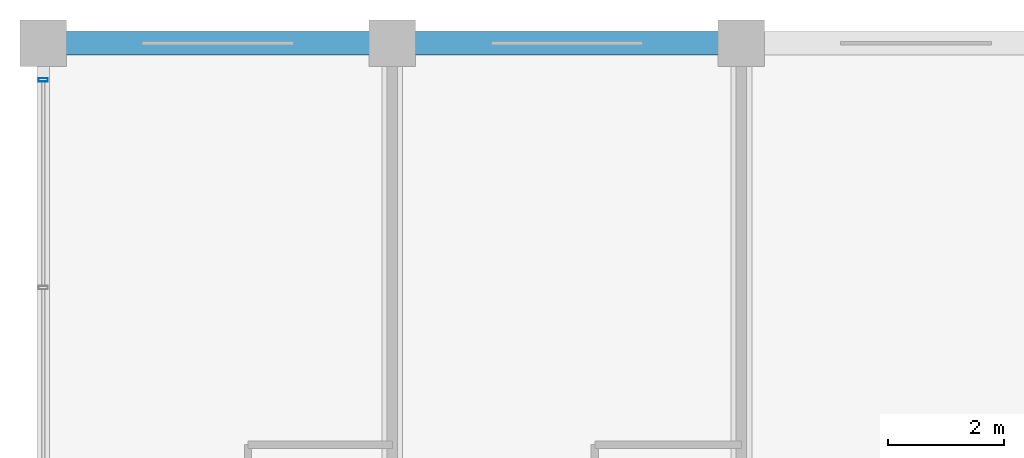
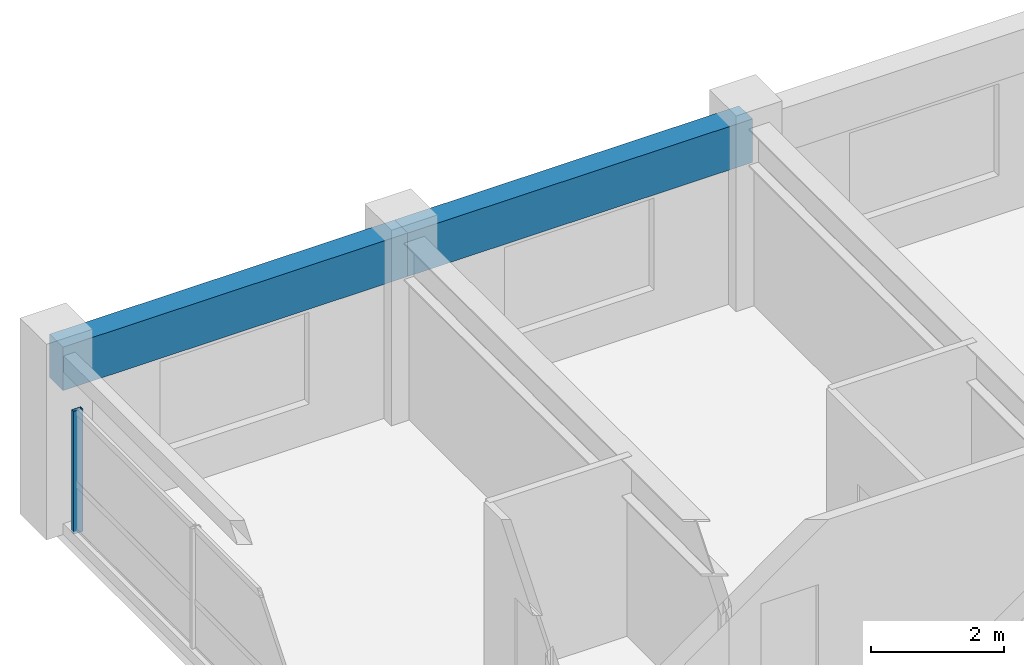
# One storey, part 17 of 26: 2 beams, 1 member, 1 element without a shape of its own.
"""IFC4 building model written with IfcOpenShell, lengths in metres."""

from ifc_helpers import new_model, si_unit, direction, frame, origin, origin_2d, place, context, subcontext, project, spatial, rectangle, hollow_rectangle, extrude, material, material_profile, profile_set, type_object, element, aggregate, save


model = new_model("IFC4")

# Units and contexts
model_context = context("Model", 3, precision=1e-05, world=origin(), true_north=direction((0.0, 1.0)))
body_context = subcontext(model_context, "Body", "Model", "MODEL_VIEW")
ifc_project = project(units=[si_unit("LENGTHUNIT", "METRE"), si_unit("AREAUNIT", "SQUARE_METRE"), si_unit("VOLUMEUNIT", "CUBIC_METRE"), si_unit("PLANEANGLEUNIT", "RADIAN"), si_unit("MASSUNIT", "GRAM", prefix="KILO")], contexts=[model_context])

# Site, building, storey
site_placement = place(None, origin())
site = spatial("IfcSite", under=ifc_project, at=site_placement, CompositionType="ELEMENT")
building_placement = place(site_placement, origin())
building = spatial("IfcBuilding", under=site, at=building_placement, Name="Kaldorvane Square Convention Centre", CompositionType="ELEMENT")
storey_placement = place(building_placement, frame((0.0, 0.0, 42.0)))
storey = spatial("IfcBuildingStorey", under=building, at=storey_placement, Name="L09", CompositionType="ELEMENT", Elevation=42.0)

# Beams
ifc_material_1 = material(Name="Concrete f'c = 42 MPa (Normalweight)", Category="concrete")
ifc_material_profile_1 = material_profile(ifc_material_1, rectangle(XDim=0.399993896484375, YDim=0.8000030517578125, at=origin_2d()), Name="RCSP800X400")
ifc_profile_set_1 = profile_set([ifc_material_profile_1], Name="Concrete f'c = 42 MPa (Normalweight)")
beam_type = type_object("IfcBeamType", Name="BM-SP-RC800", PredefinedType="SPANDREL", material=ifc_profile_set_1)
for number, where, z_axis, x_axis, name in (
    (1, (24.0, 117.0, 2.8860015869140625), (1.0, 0.0, 0.0), (0.0, 1.0, 0.0), "Perimeter Spandrel (L09)"),
    (2, (30.0, 117.0, 2.8860015869140625), (1.0, 0.0, 0.0), (0.0, 1.0, 0.0), "Perimeter Spandrel (L09)"),
):
    element("IfcBeam", number, at=place(storey_placement, frame(where, z_axis=z_axis, x_axis=x_axis)), inside=storey, type_object=beam_type, Name=name, PredefinedType="SPANDREL", context=body_context, shape_type="SweptSolid", body=[
        extrude(rectangle(XDim=0.399993896484375, YDim=0.8000030517578125, at=origin_2d()), origin(), (0.0, 0.0, 1.0), 6.0),
    ])

# Curtain wall, member
ifc_material_2 = material(Name="Anodized Aluminum and Low-E Insulated Glazing", Category="aluminium")
curtain_wall_type = type_object("IfcCurtainWallType", Name="CW-UNI-HTL-B", PredefinedType="USERDEFINED", material=ifc_material_2)
curtain_wall_placement = place(storey_placement, origin())
curtain_wall = element("IfcCurtainWall", 3, at=curtain_wall_placement, inside=storey, type_object=curtain_wall_type, Name="Curtain Wall CW-11 (L09)", ObjectType="UNITISED GLAZING", PredefinedType="USERDEFINED")
ifc_material_profile_2 = material_profile(ifc_material_2, hollow_rectangle(XDim=0.05999755859375, YDim=0.160003662109375, WallThickness=0.003204345703125, at=origin_2d()), Name="CWM-160X60")
ifc_profile_set_2 = profile_set([ifc_material_profile_2], Name="Anodized Aluminum and Low-E Insulated Glazing")
member_type = type_object("IfcMemberType", Name="CW-MUL-160", PredefinedType="MULLION", material=ifc_profile_set_2)
member_placement = place(storey_placement, frame((24.0, 116.3699951171875, 0.149993896484375), z_axis=(0.0, 0.0, 1.0), x_axis=(0.0, -1.0, 0.0)))
member = element("IfcMember", 4, at=member_placement, type_object=member_type, Name="CW-11 mullion 1", PredefinedType="MULLION", context=body_context, shape_type="SweptSolid", body=[
    extrude(hollow_rectangle(XDim=0.05999755859375, YDim=0.160003662109375, WallThickness=0.003204345703125, at=origin_2d()), origin(), (0.0, 0.0, 1.0), 2.260009765625),
])
aggregate(curtain_wall, [member])

save(model, "model.ifc")
